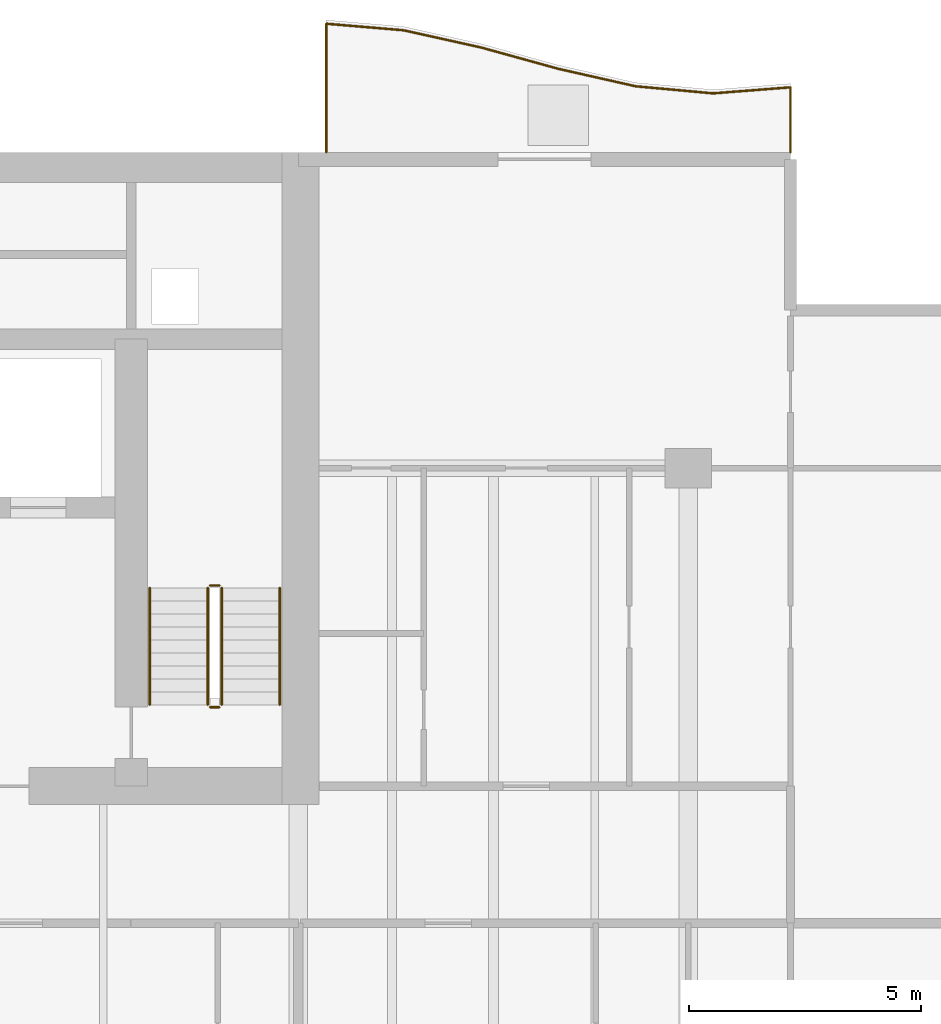
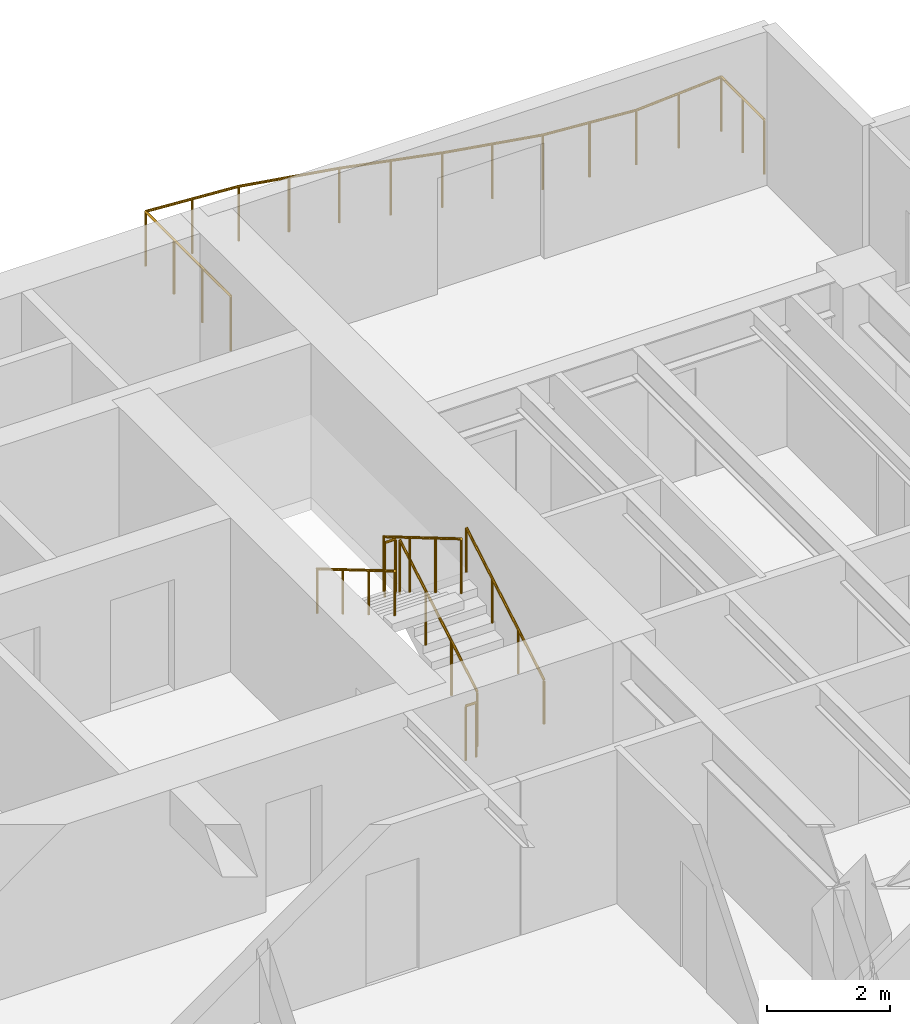
# One storey, part 14 of 15: 7 railings.
"""IFC4 building model written with IfcOpenShell, lengths in metres."""

from ifc_helpers import new_model, si_unit, direction, frame, origin, origin_2d, place, context, subcontext, project, spatial, circle, extrude, material, type_object, element, save


model = new_model("IFC4")

# Units and contexts
model_context = context("Model", 3, precision=1e-05, world=origin(), true_north=direction((0.0, 1.0)))
body_context = subcontext(model_context, "Body", "Model", "MODEL_VIEW")
ifc_project = project(units=[si_unit("LENGTHUNIT", "METRE"), si_unit("AREAUNIT", "SQUARE_METRE"), si_unit("VOLUMEUNIT", "CUBIC_METRE"), si_unit("PLANEANGLEUNIT", "RADIAN"), si_unit("MASSUNIT", "GRAM", prefix="KILO")], contexts=[model_context])

# Site, building, storey
site_placement = place(None, origin())
site = spatial("IfcSite", under=ifc_project, at=site_placement, CompositionType="ELEMENT")
building_placement = place(site_placement, origin())
building = spatial("IfcBuilding", under=site, at=building_placement, Name="Caelmar Bay Residences", CompositionType="ELEMENT")
storey_placement = place(building_placement, frame((0.0, 0.0, 135.60009765625)))
storey = spatial("IfcBuildingStorey", under=building, at=storey_placement, Name="L37", CompositionType="ELEMENT", Elevation=135.60009765625)

# Railings
ifc_material_1 = material(Name="Anodised bronze handrail with laminated hurricane glass infill", Category="glass")
railing_type_1 = type_object("IfcRailingType", Name="RL-BAL-1100", PredefinedType="BALUSTRADE", material=ifc_material_1)
railing_1_placement = place(storey_placement, frame((70.10009765625, 50.60009765625, 0.0)))
element("IfcRailing", 1, at=railing_1_placement, inside=storey, type_object=railing_type_1, Name="L37 north_east Balcony Balustrade", PredefinedType="BALUSTRADE", context=body_context, shape_type="SweptSolid", body=[
    extrude(circle(Radius=0.02392578125, at=origin_2d()), frame((0.0, 0.0, 1.076171875), z_axis=(0.0, 1.0, 0.0), x_axis=(-1.0, 0.0, 0.0)), (0.0, 0.0, 1.0), 1.400146484375),
    extrude(circle(Radius=0.02392578125, at=origin_2d()), frame((0.0, 1.400146484375, 1.076171875), z_axis=(-0.996966215155, -0.077835505006, 0.0), x_axis=(0.077835505006, -0.996966215155, 0.0)), (0.0, 0.0, 1.0), 1.671875),
    extrude(circle(Radius=0.02392578125, at=origin_2d()), frame((-1.666748046875, 1.27001953125, 1.076171875), z_axis=(-0.995862060473, 0.090877700846, 0.0), x_axis=(-0.090877700846, -0.995862060473, 0.0)), (0.0, 0.0, 1.0), 1.673583984375),
    extrude(circle(Radius=0.02392578125, at=origin_2d()), frame((-3.33349609375, 1.422119140625, 1.076171875), z_axis=(-0.975390468551, 0.22048454336, 0.0), x_axis=(-0.22048454336, -0.975390468551, 0.0)), (0.0, 0.0, 1.0), 1.70849609375),
    extrude(circle(Radius=0.02392578125, at=origin_2d()), frame((-5.0, 1.798828125, 1.076171875), z_axis=(-0.963967650546, 0.266019489326, 0.0), x_axis=(-0.266019489326, -0.963967650546, 0.0)), (0.0, 0.0, 1.0), 1.72900390625),
    extrude(circle(Radius=0.02392578125, at=origin_2d()), frame((-6.666748046875, 2.2587890625, 1.076171875), z_axis=(-0.976220694112, 0.216779049696, 0.0), x_axis=(-0.216779049696, -0.976220694112, 0.0)), (0.0, 0.0, 1.0), 1.707275390625),
    extrude(circle(Radius=0.02392578125, at=origin_2d()), frame((-8.33349609375, 2.62890625, 1.076171875), z_axis=(-0.996434131582, 0.084374293591, 0.0), x_axis=(-0.084374293591, -0.996434131582, 0.0)), (0.0, 0.0, 1.0), 1.67236328125),
    extrude(circle(Radius=0.02392578125, at=origin_2d()), frame((-10.0, 2.77001953125, 1.076171875), z_axis=(0.0, -1.0, 0.0), x_axis=(1.0, 0.0, 0.0)), (0.0, 0.0, 1.0), 2.77001953125),
    extrude(circle(Radius=0.02099609375, at=origin_2d()), origin(), (0.0, 0.0, 1.0), 1.052001953125),
    extrude(circle(Radius=0.02099609375, at=origin_2d()), frame((0.0, 0.7001953125, 0.0)), (0.0, 0.0, 1.0), 1.052001953125),
    extrude(circle(Radius=0.02099609375, at=origin_2d()), frame((0.0, 1.400146484375, 0.0)), (0.0, 0.0, 1.0), 1.052001953125),
    extrude(circle(Radius=0.02099609375, at=origin_2d()), frame((-0.83349609375, 1.3349609375, 0.0)), (0.0, 0.0, 1.0), 1.052001953125),
    extrude(circle(Radius=0.02099609375, at=origin_2d()), frame((-1.666748046875, 1.27001953125, 0.0)), (0.0, 0.0, 1.0), 1.052001953125),
    extrude(circle(Radius=0.02099609375, at=origin_2d()), frame((-2.5, 1.34619140625, 0.0)), (0.0, 0.0, 1.0), 1.052001953125),
    extrude(circle(Radius=0.02099609375, at=origin_2d()), frame((-3.33349609375, 1.422119140625, 0.0)), (0.0, 0.0, 1.0), 1.052001953125),
    extrude(circle(Radius=0.02099609375, at=origin_2d()), frame((-4.166748046875, 1.6103515625, 0.0)), (0.0, 0.0, 1.0), 1.052001953125),
    extrude(circle(Radius=0.02099609375, at=origin_2d()), frame((-5.0, 1.798828125, 0.0)), (0.0, 0.0, 1.0), 1.052001953125),
    extrude(circle(Radius=0.02099609375, at=origin_2d()), frame((-5.83349609375, 2.02880859375, 0.0)), (0.0, 0.0, 1.0), 1.052001953125),
    extrude(circle(Radius=0.02099609375, at=origin_2d()), frame((-6.666748046875, 2.2587890625, 0.0)), (0.0, 0.0, 1.0), 1.052001953125),
    extrude(circle(Radius=0.02099609375, at=origin_2d()), frame((-7.5, 2.44384765625, 0.0)), (0.0, 0.0, 1.0), 1.052001953125),
    extrude(circle(Radius=0.02099609375, at=origin_2d()), frame((-8.33349609375, 2.62890625, 0.0)), (0.0, 0.0, 1.0), 1.052001953125),
    extrude(circle(Radius=0.02099609375, at=origin_2d()), frame((-9.166748046875, 2.699462890625, 0.0)), (0.0, 0.0, 1.0), 1.052001953125),
    extrude(circle(Radius=0.02099609375, at=origin_2d()), frame((-10.0, 2.77001953125, 0.0)), (0.0, 0.0, 1.0), 1.052001953125),
    extrude(circle(Radius=0.02099609375, at=origin_2d()), frame((-10.0, 1.8466796875, 0.0)), (0.0, 0.0, 1.0), 1.052001953125),
    extrude(circle(Radius=0.02099609375, at=origin_2d()), frame((-10.0, 0.92333984375, 0.0)), (0.0, 0.0, 1.0), 1.052001953125),
    extrude(circle(Radius=0.02099609375, at=origin_2d()), frame((-10.0, 0.0, 0.0)), (0.0, 0.0, 1.0), 1.052001953125),
])
ifc_material_2 = material(Name="Painted galvanized steel stair guard 1100 mm", Category="steel")
railing_type_2 = type_object("IfcRailingType", Name="RL-GRD-1100", PredefinedType="GUARDRAIL", material=ifc_material_2)
railing_2_placement = place(storey_placement, frame((57.85009765625, 38.699951171875, 0.164794921875)))
element("IfcRailing", 2, at=railing_2_placement, inside=storey, type_object=railing_type_2, Name="L37 ST2 stair guard 1", PredefinedType="GUARDRAIL", context=body_context, shape_type="SweptSolid", body=[
    extrude(circle(Radius=0.02392578125, at=origin_2d()), frame((0.0, 0.0, 1.076171875), z_axis=(0.0, 0.86152411907, 0.507716645641), x_axis=(-1.0, 0.0, 0.0)), (0.0, 0.0, 1.0), 2.925048828125),
    extrude(circle(Radius=0.02099609375, at=origin_2d()), origin(), (0.0, 0.0, 1.0), 1.052001953125),
    extrude(circle(Radius=0.02099609375, at=origin_2d()), frame((0.0, 0.840087890625, 0.4951171875)), (0.0, 0.0, 1.0), 1.052001953125),
    extrude(circle(Radius=0.02099609375, at=origin_2d()), frame((0.0, 1.679931640625, 0.989990234375)), (0.0, 0.0, 1.0), 1.052001953125),
    extrude(circle(Radius=0.02099609375, at=origin_2d()), frame((0.0, 2.52001953125, 1.485107421875)), (0.0, 0.0, 1.0), 1.052001953125),
])
railing_3_placement = place(storey_placement, frame((57.800048828125, 41.27001953125, 1.64990234375)))
element("IfcRailing", 3, at=railing_3_placement, inside=storey, type_object=railing_type_2, Name="L37 ST2 stair guard 2", PredefinedType="GUARDRAIL", context=body_context, shape_type="SweptSolid", body=[
    extrude(circle(Radius=0.02392578125, at=origin_2d()), frame((0.0, 0.0, 1.076171875), z_axis=(-1.0, 0.0, 0.0), x_axis=(0.0, -1.0, 0.0)), (0.0, 0.0, 1.0), 0.199951171875),
    extrude(circle(Radius=0.02099609375, at=origin_2d()), origin(), (0.0, 0.0, 1.0), 1.052001953125),
    extrude(circle(Radius=0.02099609375, at=origin_2d()), frame((-0.199951171875, 0.0, 0.0)), (0.0, 0.0, 1.0), 1.052001953125),
])
railing_4_placement = place(storey_placement, frame((57.550048828125, 41.219970703125, 1.81494140625)))
element("IfcRailing", 4, at=railing_4_placement, inside=storey, type_object=railing_type_2, Name="L37 ST2 stair guard 3", PredefinedType="GUARDRAIL", context=body_context, shape_type="SweptSolid", body=[
    extrude(circle(Radius=0.02392578125, at=origin_2d()), frame((0.0, 0.0, 1.076171875), z_axis=(0.0, -0.861560626758, 0.507654692109), x_axis=(1.0, 0.0, 0.0)), (0.0, 0.0, 1.0), 2.925048828125),
    extrude(circle(Radius=0.02099609375, at=origin_2d()), origin(), (0.0, 0.0, 1.0), 1.052001953125),
    extrude(circle(Radius=0.02099609375, at=origin_2d()), frame((0.0, -0.840087890625, 0.494873046875)), (0.0, 0.0, 1.0), 1.052001953125),
    extrude(circle(Radius=0.02099609375, at=origin_2d()), frame((0.0, -1.679931640625, 0.989990234375)), (0.0, 0.0, 1.0), 1.052001953125),
    extrude(circle(Radius=0.02099609375, at=origin_2d()), frame((0.0, -2.52001953125, 1.48486328125)), (0.0, 0.0, 1.0), 1.052001953125),
])
railing_5_placement = place(storey_placement, frame((57.800048828125, 38.64990234375, 0.0)))
element("IfcRailing", 5, at=railing_5_placement, inside=storey, type_object=railing_type_2, Name="L37 ST2 stair guard 4", PredefinedType="GUARDRAIL", context=body_context, shape_type="SweptSolid", body=[
    extrude(circle(Radius=0.02392578125, at=origin_2d()), frame((0.0, 0.0, 1.076171875), z_axis=(-1.0, 0.0, 0.0), x_axis=(0.0, -1.0, 0.0)), (0.0, 0.0, 1.0), 0.199951171875),
    extrude(circle(Radius=0.02099609375, at=origin_2d()), origin(), (0.0, 0.0, 1.0), 1.052001953125),
    extrude(circle(Radius=0.02099609375, at=origin_2d()), frame((-0.199951171875, 0.0, 0.0)), (0.0, 0.0, 1.0), 1.052001953125),
])
ifc_material_3 = material(Name="Brushed bronze stainless-steel tubular handrail 900 mm", Category="steel")
railing_type_3 = type_object("IfcRailingType", Name="RL-HND-900", PredefinedType="HANDRAIL", material=ifc_material_3)
railing_6_placement = place(storey_placement, frame((59.10009765625, 38.699951171875, 0.164794921875)))
element("IfcRailing", 6, at=railing_6_placement, inside=storey, type_object=railing_type_3, Name="L37 ST2 stair handrail 1", PredefinedType="HANDRAIL", context=body_context, shape_type="SweptSolid", body=[
    extrude(circle(Radius=0.02392578125, at=origin_2d()), frame((0.0, 0.0, 0.8759765625), z_axis=(0.0, 0.86152411907, 0.507716645641), x_axis=(-1.0, 0.0, 0.0)), (0.0, 0.0, 1.0), 2.925048828125),
    extrude(circle(Radius=0.02099609375, at=origin_2d()), origin(), (0.0, 0.0, 1.0), 0.851806640625),
    extrude(circle(Radius=0.02099609375, at=origin_2d()), frame((0.0, 0.840087890625, 0.4951171875)), (0.0, 0.0, 1.0), 0.851806640625),
    extrude(circle(Radius=0.02099609375, at=origin_2d()), frame((0.0, 1.679931640625, 0.989990234375)), (0.0, 0.0, 1.0), 0.851806640625),
    extrude(circle(Radius=0.02099609375, at=origin_2d()), frame((0.0, 2.52001953125, 1.485107421875)), (0.0, 0.0, 1.0), 0.851806640625),
])
railing_7_placement = place(storey_placement, frame((56.300048828125, 41.219970703125, 1.81494140625)))
element("IfcRailing", 7, at=railing_7_placement, inside=storey, type_object=railing_type_3, Name="L37 ST2 stair handrail 2", PredefinedType="HANDRAIL", context=body_context, shape_type="SweptSolid", body=[
    extrude(circle(Radius=0.02392578125, at=origin_2d()), frame((0.0, 0.0, 0.8759765625), z_axis=(0.0, -0.861560626758, 0.507654692109), x_axis=(1.0, 0.0, 0.0)), (0.0, 0.0, 1.0), 2.925048828125),
    extrude(circle(Radius=0.02099609375, at=origin_2d()), origin(), (0.0, 0.0, 1.0), 0.851806640625),
    extrude(circle(Radius=0.02099609375, at=origin_2d()), frame((0.0, -0.840087890625, 0.494873046875)), (0.0, 0.0, 1.0), 0.851806640625),
    extrude(circle(Radius=0.02099609375, at=origin_2d()), frame((0.0, -1.679931640625, 0.989990234375)), (0.0, 0.0, 1.0), 0.851806640625),
    extrude(circle(Radius=0.02099609375, at=origin_2d()), frame((0.0, -2.52001953125, 1.48486328125)), (0.0, 0.0, 1.0), 0.851806640625),
])

save(model, "model.ifc")
